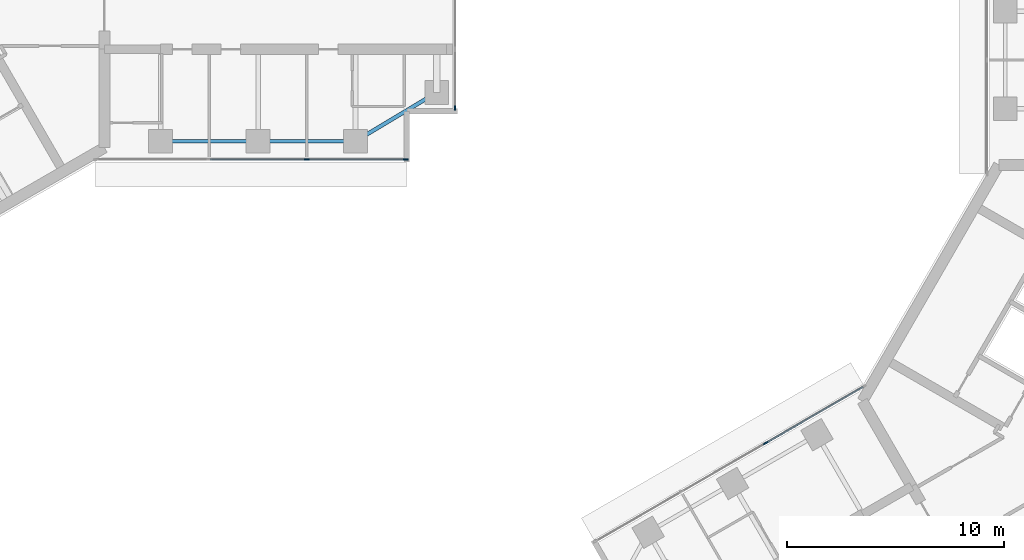
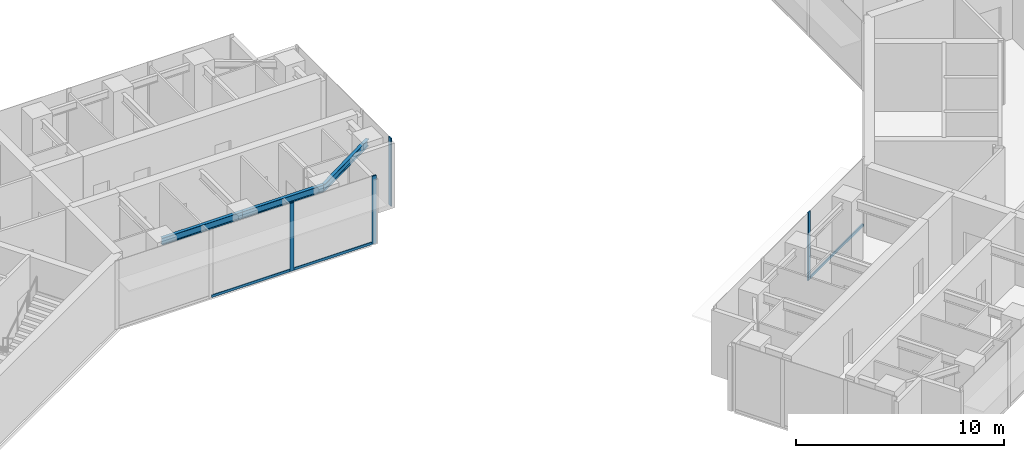
# One storey, part 4 of 18: 7 members, 3 beams, 3 elements without a shape of their own.
"""IFC4 building model written with IfcOpenShell, lengths in metres."""

import ifcopenshell
import ifcopenshell.guid

model = None  # the IFC model being written
_history = None  # IfcOwnerHistory: only IFC2X3 demands one
_inside = {}  # id of a spatial element -> (the spatial element, [elements in it])
_under = {}  # id of a project, library or spatial element -> (it, [spatial elements below it])
_declared = {}  # id of a project -> (the project, [libraries it declares])
_typed = {}  # id of a type object -> (the type object, [elements of that type])
_made_of = {}  # id of a material, layer set ... -> (it, [elements and type objects made of it])


def new_model(schema):
    """Start an empty IFC model of exactly this schema.

    Asked for "IFC4X3", IfcOpenShell would pick the latest addendum, in which some entities
    have other attributes; the version numbers below select the first issue.
    IFC2X3 requires an IfcOwnerHistory on every rooted entity: one is made here for all.
    """
    global model, _history
    if schema == "IFC4X3":
        model = ifcopenshell.file(schema_version=(4, 3, 0, 0))
    else:
        model = ifcopenshell.file(schema=schema)
    _inside.clear()
    _under.clear()
    _declared.clear()
    _typed.clear()
    _made_of.clear()
    _history = None
    if model.schema == "IFC2X3":
        org = make("IfcOrganization", Name="unknown")
        user = make(
            "IfcPersonAndOrganization",
            ThePerson=make("IfcPerson", FamilyName="unknown"),
            TheOrganization=org,
        )
        app = make(
            "IfcApplication",
            ApplicationDeveloper=org,
            Version="unknown",
            ApplicationFullName="unknown",
            ApplicationIdentifier="unknown",
        )
        _history = make(
            "IfcOwnerHistory",
            OwningUser=user,
            OwningApplication=app,
            ChangeAction="ADDED",
            CreationDate=0,
        )
    return model


def make(cls, **values):
    """One entity of the class cls with the attributes given. An attribute that is None is left unset."""
    return model.create_entity(
        cls, **{name: value for name, value in values.items() if value is not None}
    )


def rooted(cls, **values):
    """An entity with a GlobalId (a new one), such as an element, a storey or a relation."""
    return make(cls, GlobalId=ifcopenshell.guid.new(), OwnerHistory=_history, **values)


def si_unit(unit_type, name, prefix=None):
    """IfcSIUnit, for example si_unit("LENGTHUNIT", "METRE", prefix="MILLI")."""
    return make("IfcSIUnit", UnitType=unit_type, Prefix=prefix, Name=name)


def assignment(units):
    """IfcUnitAssignment: the units of a project."""
    return None if units is None else make("IfcUnitAssignment", Units=units)


def point(xyz):
    """IfcCartesianPoint."""
    return None if xyz is None else make("IfcCartesianPoint", Coordinates=xyz)


def direction(xyz):
    """IfcDirection."""
    return None if xyz is None else make("IfcDirection", DirectionRatios=xyz)


def frame(location, z_axis=None, x_axis=None):
    """IfcAxis2Placement3D, a coordinate frame: its origin and axes. An axis left out is left unset."""
    return make(
        "IfcAxis2Placement3D",
        Location=point(location),
        Axis=direction(z_axis),
        RefDirection=direction(x_axis),
    )


def frame_2d(location, x_axis=None):
    """IfcAxis2Placement2D, a coordinate frame in the plane: its origin and x axis."""
    return make(
        "IfcAxis2Placement2D", Location=point(location), RefDirection=direction(x_axis)
    )


def origin():
    """The frame at (0, 0, 0) with its axes left unset."""
    return frame((0.0, 0.0, 0.0))


def origin_2d():
    """The frame at (0, 0) in the plane with its x axis left unset."""
    return frame_2d((0.0, 0.0))


def place(relative_to, where):
    """IfcLocalPlacement: puts the frame where relative to a parent placement (None: the world)."""
    return make(
        "IfcLocalPlacement", PlacementRelTo=relative_to, RelativePlacement=where
    )


def context(
    kind, dimensions, precision=None, world=None, true_north=None, identifier=None
):
    """IfcGeometricRepresentationContext, for example the 3D "Model" context."""
    return make(
        "IfcGeometricRepresentationContext",
        ContextIdentifier=identifier,
        ContextType=kind,
        CoordinateSpaceDimension=dimensions,
        Precision=precision,
        WorldCoordinateSystem=world,
        TrueNorth=true_north,
    )


def subcontext(parent, identifier, kind, view, scale=None):
    """IfcGeometricRepresentationSubContext, for example "Body" below "Model"."""
    return make(
        "IfcGeometricRepresentationSubContext",
        ContextIdentifier=identifier,
        ContextType=kind,
        ParentContext=parent,
        TargetScale=scale,
        TargetView=view,
    )


def project(units=None, contexts=None):
    """IfcProject with its units and contexts."""
    return rooted(
        "IfcProject",
        Name="project",
        RepresentationContexts=contexts,
        UnitsInContext=assignment(units),
    )


def spatial(cls, under=None, at=None, **own):
    """A site, building, storey or space (cls), placed at a placement, below another one or the project."""
    s = rooted(cls, ObjectPlacement=at, **own)
    if under is not None:
        _under.setdefault(under.id(), (under, []))[1].append(s)
    return s


def profile(cls, at=None, kind="AREA", **sizes):
    """A parametric profile (cls). Its sizes go by their IFC names, for example OverallWidth=200.0."""
    return make(cls, ProfileType=kind, Position=at, **sizes)


def rectangle(**sizes):
    """IfcRectangleProfileDef."""
    return profile("IfcRectangleProfileDef", **sizes)


def i_section(**sizes):
    """IfcIShapeProfileDef."""
    return profile("IfcIShapeProfileDef", **sizes)


def extrude(swept, where, along, depth):
    """IfcExtrudedAreaSolid: the profile swept, set in the frame where, extruded along a direction by depth."""
    return make(
        "IfcExtrudedAreaSolid",
        SweptArea=swept,
        Position=where,
        ExtrudedDirection=direction(along),
        Depth=depth,
    )


def shape(context_of_items, identifier, shape_type, items):
    """IfcShapeRepresentation: the items that make up one representation, for example the "Body"."""
    return make(
        "IfcShapeRepresentation",
        ContextOfItems=context_of_items,
        RepresentationIdentifier=identifier,
        RepresentationType=shape_type,
        Items=items,
    )


def material(Name=None, Category=None):
    """IfcMaterial."""
    return make("IfcMaterial", Name=Name, Category=Category)


def material_profile(
    of_material, cross_section, Name=None, Category=None, Priority=None
):
    """IfcMaterialProfile: a cross section and its material."""
    return make(
        "IfcMaterialProfile",
        Name=Name,
        Material=of_material,
        Profile=cross_section,
        Priority=Priority,
        Category=Category,
    )


def profile_set(profiles, Name=None, composite=None):
    """IfcMaterialProfileSet."""
    return make(
        "IfcMaterialProfileSet",
        Name=Name,
        MaterialProfiles=profiles,
        CompositeProfile=composite,
    )


def made_of(thing, what):
    """Note that an element or type object is made of a material, layer set ...; save() writes the relation."""
    if what is not None:
        _made_of.setdefault(what.id(), (what, []))[1].append(thing)
    return thing


def type_object(cls, material=None, **own):
    """A type object (cls), such as IfcWallType, which elements share."""
    return made_of(rooted(cls, **own), material)


def element(
    cls,
    number,
    at=None,
    inside=None,
    cuts=None,
    type_object=None,
    material=None,
    context=None,
    identifier="Body",
    shape_type=None,
    held_by="IfcProductDefinitionShape",
    body=None,
    shapes=None,
    **own,
):
    """One element of the class cls, such as IfcWall. Its Tag is "e" and its number.

    at: its placement. inside: the storey or other place that contains it. cuts: it is an
    opening in that element (IfcRelVoidsElement). A single representation is given by context,
    identifier, shape_type and body (its items); several are given by shapes. held_by: the class
    of the entity that holds the representations. save() writes the other relations.
    """
    e = rooted(cls, Tag="e%d" % number, ObjectPlacement=at, **own)
    if body is not None:
        shapes = [shape(context, identifier, shape_type, body)]
    if shapes is not None:
        e.Representation = make(held_by, Representations=shapes)
    if inside is not None:
        _inside.setdefault(inside.id(), (inside, []))[1].append(e)
    if cuts is not None:
        rooted(
            "IfcRelVoidsElement", RelatingBuildingElement=cuts, RelatedOpeningElement=e
        )
    if type_object is not None:
        _typed.setdefault(type_object.id(), (type_object, []))[1].append(e)
    return made_of(e, material)


def aggregate(whole, parts):
    """IfcRelAggregates: a whole, such as a stair, and the parts it consists of."""
    return rooted("IfcRelAggregates", RelatingObject=whole, RelatedObjects=parts)


def save(model, path):
    """Write the relations noted so far, then the file.

    IfcRelAggregates (storeys below a building ...), IfcRelContainedInSpatialStructure (elements
    in a storey), IfcRelDefinesByType, IfcRelAssociatesMaterial and IfcRelDeclares: one each for
    every whole, place, type object, material and project.
    """
    for whole, parts in _under.values():
        aggregate(whole, parts)
    for where, things in _inside.values():
        rooted(
            "IfcRelContainedInSpatialStructure",
            RelatedElements=things,
            RelatingStructure=where,
        )
    for kind, things in _typed.values():
        rooted("IfcRelDefinesByType", RelatedObjects=things, RelatingType=kind)
    for what, things in _made_of.values():
        rooted("IfcRelAssociatesMaterial", RelatedObjects=things, RelatingMaterial=what)
    for by, libraries in _declared.values():
        rooted("IfcRelDeclares", RelatingContext=by, RelatedDefinitions=libraries)
    model.write(path)


model = new_model("IFC4")

# Units and contexts
model_context = context("Model", 3, precision=1e-05, world=origin(), true_north=direction((0.0, 1.0)))
body_context = subcontext(model_context, "Body", "Model", "MODEL_VIEW")
ifc_project = project(units=[si_unit("LENGTHUNIT", "METRE"), si_unit("AREAUNIT", "SQUARE_METRE"), si_unit("VOLUMEUNIT", "CUBIC_METRE"), si_unit("PLANEANGLEUNIT", "RADIAN"), si_unit("MASSUNIT", "GRAM", prefix="KILO")], contexts=[model_context])

# Site, building, storey
site_placement = place(None, origin())
site = spatial("IfcSite", under=ifc_project, at=site_placement, CompositionType="ELEMENT")
building_placement = place(site_placement, origin())
building = spatial("IfcBuilding", under=site, at=building_placement, Name="Upepo Twin Towers", CompositionType="ELEMENT")
storey_placement = place(building_placement, frame((0.0, 0.0, 226.5)))
storey = spatial("IfcBuildingStorey", under=building, at=storey_placement, Name="L55", CompositionType="ELEMENT", Elevation=226.5)

# Beams
ifc_material_1 = material(Name="Steel S355", Category="steel")
ifc_material_profile_1 = material_profile(ifc_material_1, i_section(OverallWidth=0.177978515625, OverallDepth=0.406494140625, WebThickness=0.0078125, FlangeThickness=0.0126953125, FilletRadius=0.01025390625, at=origin_2d()), Name="UB 406x178x60")
ifc_profile_set_1 = profile_set([ifc_material_profile_1], Name="Steel S355")
beam_type = type_object("IfcBeamType", Name="Beam UB 406x178x60", PredefinedType="BEAM", material=ifc_profile_set_1)
for number, where, z_axis, x_axis, name in (
    (1, (13.5, -6.0, 3.5966796875), (1.0, 0.0, 0.0), (0.0, 1.0, 0.0), "T1 edge beam AR 13.5-18.0"),
    (2, (18.0, -6.0, 3.5966796875), (1.0, 0.0, 0.0), (0.0, 1.0, 0.0), "T1 edge beam AR 18.0-22.5"),
):
    element("IfcBeam", number, at=place(storey_placement, frame(where, z_axis=z_axis, x_axis=x_axis)), inside=storey, type_object=beam_type, Name=name, PredefinedType="BEAM", context=body_context, shape_type="SweptSolid", body=[
        extrude(i_section(OverallWidth=0.177978515625, OverallDepth=0.406494140625, WebThickness=0.0078125, FlangeThickness=0.0126953125, FilletRadius=0.01025390625, at=origin_2d()), origin(), (0.0, 0.0, 1.0), 4.5),
    ])
beam_placement = place(storey_placement, frame((22.5, -6.0, 3.5966796875), z_axis=(0.857492925713, 0.514495755428, 0.0), x_axis=(-0.514495755428, 0.857492925713, 0.0)))
element("IfcBeam", 3, at=beam_placement, inside=storey, type_object=beam_type, Name="T1 nose edge beam AR", PredefinedType="BEAM", context=body_context, shape_type="SweptSolid", body=[
    extrude(i_section(OverallWidth=0.177978515625, OverallDepth=0.406494140625, WebThickness=0.0078125, FlangeThickness=0.0126953125, FilletRadius=0.01025390625, at=origin_2d()), origin(), (0.0, 0.0, 1.0), 4.373291015625),
])

# Curtain wall, members
ifc_material_2 = material(Name="Aluminium and fritted glass", Category="aluminium")
curtain_wall_type = type_object("IfcCurtainWallType", Name="Tower curtain wall TW3, fritted glass", PredefinedType="NOTDEFINED", material=ifc_material_2)
curtain_wall_1_placement = place(storey_placement, origin())
curtain_wall_1 = element("IfcCurtainWall", 4, at=curtain_wall_1_placement, inside=storey, type_object=curtain_wall_type, Name="T1 L55 wing A flank R curtain wall", PredefinedType="NOTDEFINED")
ifc_material_3 = material(Name="Aluminium mullion", Category="aluminium")
ifc_material_profile_2 = material_profile(ifc_material_3, rectangle(XDim=0.06494140625, YDim=0.22509765625, at=origin_2d()), Name="MULLION 65x225")
ifc_profile_set_2 = profile_set([ifc_material_profile_2], Name="Aluminium mullion")
member_type_1 = type_object("IfcMemberType", Name="Mullion 65x225 TW3", PredefinedType="MULLION", material=ifc_profile_set_2)
member_1_placement = place(storey_placement, frame((24.8173828125, -6.85009765625, 0.0), z_axis=(0.0, 0.0, 1.0), x_axis=(0.0, -1.0, 0.0)))
member_1 = element("IfcMember", 5, at=member_1_placement, type_object=member_type_1, Name="T1 L55 wing A flank R curtain wall mullion 1", PredefinedType="MULLION", context=body_context, shape_type="SweptSolid", body=[
    extrude(rectangle(XDim=0.06494140625, YDim=0.22509765625, at=origin_2d()), origin(), (0.0, 0.0, 1.0), 4.0),
])
member_2_placement = place(storey_placement, frame((20.25, -6.85009765625, 0.0), z_axis=(0.0, 0.0, 1.0), x_axis=(0.0, -1.0, 0.0)))
member_2 = element("IfcMember", 6, at=member_2_placement, type_object=member_type_1, Name="T1 L55 wing A flank R curtain wall mullion 2", PredefinedType="MULLION", context=body_context, shape_type="SweptSolid", body=[
    extrude(rectangle(XDim=0.06494140625, YDim=0.22509765625, at=origin_2d()), origin(), (0.0, 0.0, 1.0), 4.0),
])

# Curtain wall, member
curtain_wall_2_placement = place(storey_placement, origin())
curtain_wall_2 = element("IfcCurtainWall", 7, at=curtain_wall_2_placement, inside=storey, type_object=curtain_wall_type, Name="T1 L55 wing A nose curtain wall", PredefinedType="NOTDEFINED")
member_3_placement = place(storey_placement, frame((27.10009765625, -4.467529296875, 0.0), z_axis=(0.0, 0.0, 1.0), x_axis=(-1.0, 0.0, 0.0)))
member_3 = element("IfcMember", 8, at=member_3_placement, type_object=member_type_1, Name="T1 L55 wing A nose curtain wall mullion 1", PredefinedType="MULLION", context=body_context, shape_type="SweptSolid", body=[
    extrude(rectangle(XDim=0.06494140625, YDim=0.22509765625, at=origin_2d()), origin(), (0.0, 0.0, 1.0), 4.0),
])
aggregate(curtain_wall_2, [member_3])

curtain_wall_3_placement = place(storey_placement, origin())
curtain_wall_3 = element("IfcCurtainWall", 9, at=curtain_wall_3_placement, inside=storey, type_object=curtain_wall_type, Name="T2 L55 wing B flank R curtain wall", PredefinedType="NOTDEFINED")
member_4_placement = place(storey_placement, frame((41.43505859375, -19.942626953125, 0.0), z_axis=(0.0, 0.0, 1.0), x_axis=(-0.500000026527, 0.866025388469, 0.0)))
member_4 = element("IfcMember", 10, at=member_4_placement, type_object=member_type_1, Name="T2 L55 wing B flank R curtain wall mullion 3", PredefinedType="MULLION", context=body_context, shape_type="SweptSolid", body=[
    extrude(rectangle(XDim=0.06494140625, YDim=0.22509765625, at=origin_2d()), origin(), (0.0, 0.0, 1.0), 4.0),
])

# Member
ifc_material_4 = material(Name="Aluminium transom", Category="aluminium")
ifc_material_profile_3 = material_profile(ifc_material_4, rectangle(XDim=0.06494140625, YDim=0.14990234375, at=origin_2d()), Name="TRANSOM 65x150")
ifc_profile_set_3 = profile_set([ifc_material_profile_3], Name="Aluminium transom")
member_type_2 = type_object("IfcMemberType", Name="Transom 65x150 TW3", PredefinedType="USERDEFINED", material=ifc_profile_set_3)
member_5_placement = place(storey_placement, frame((24.784912109375, -6.85009765625, 0.074951171875), z_axis=(-1.0, 0.0, 0.0), x_axis=(0.0, -1.0, 0.0)))
member_5 = element("IfcMember", 11, at=member_5_placement, type_object=member_type_2, Name="T1 L55 wing A flank R curtain wall transom 1", ObjectType="TRANSOM", PredefinedType="USERDEFINED", context=body_context, shape_type="SweptSolid", body=[
    extrude(rectangle(XDim=0.06494140625, YDim=0.14990234375, at=origin_2d()), origin(), (0.0, 0.0, 1.0), 4.50244140625),
])

member_6_placement = place(storey_placement, frame((20.217529296875, -6.85009765625, 0.074951171875), z_axis=(-1.0, 0.0, 0.0), x_axis=(0.0, -1.0, 0.0)))
member_6 = element("IfcMember", 12, at=member_6_placement, type_object=member_type_2, Name="T1 L55 wing A flank R curtain wall transom 2", ObjectType="TRANSOM", PredefinedType="USERDEFINED", context=body_context, shape_type="SweptSolid", body=[
    extrude(rectangle(XDim=0.06494140625, YDim=0.14990234375, at=origin_2d()), origin(), (0.0, 0.0, 1.0), 4.43505859375),
])

aggregate(curtain_wall_1, [member_1, member_2, member_5, member_6])

member_7_placement = place(storey_placement, frame((41.463134765625, -19.926513671875, 0.074951171875), z_axis=(0.86602108507, 0.500007480159, 0.0), x_axis=(-0.500007480159, 0.86602108507, 0.0)))
member_7 = element("IfcMember", 13, at=member_7_placement, type_object=member_type_2, Name="T2 L55 wing B flank R curtain wall transom 3", ObjectType="TRANSOM", PredefinedType="USERDEFINED", context=body_context, shape_type="SweptSolid", body=[
    extrude(rectangle(XDim=0.06494140625, YDim=0.14990234375, at=origin_2d()), origin(), (0.0, 0.0, 1.0), 5.16552734375),
])

aggregate(curtain_wall_3, [member_4, member_7])

save(model, "model.ifc")
